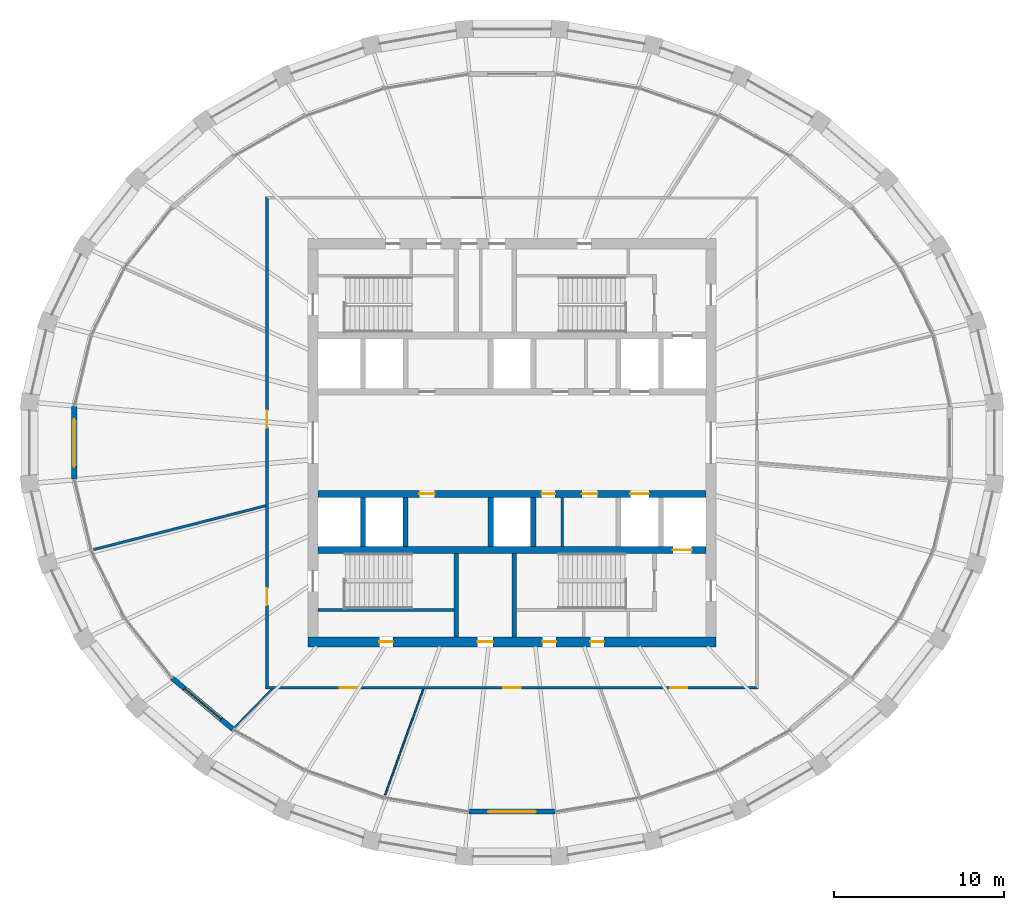
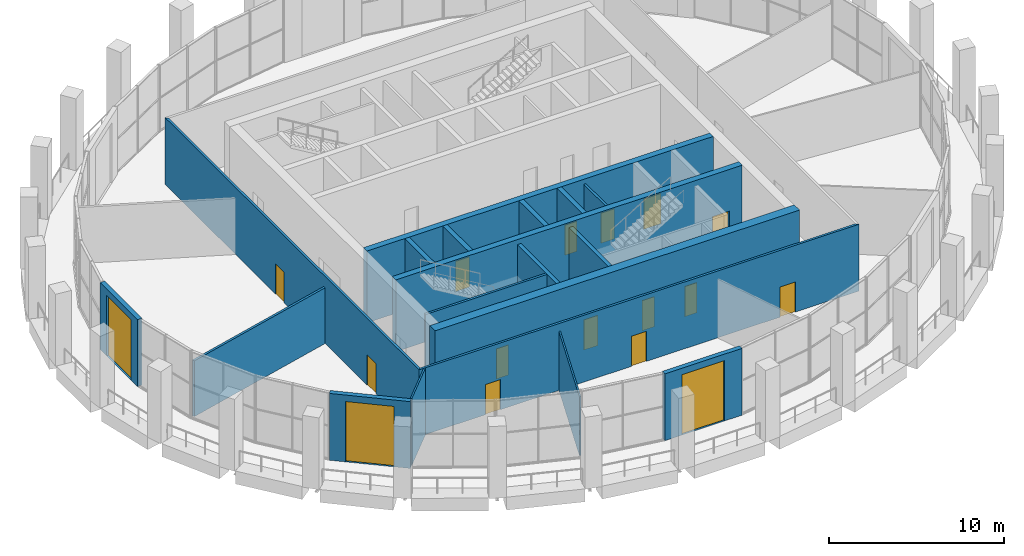
# One storey, part 10 of 15: 19 walls, 17 doors, 17 openings.
"""IFC4 building model written with IfcOpenShell, lengths in metres."""

from ifc_helpers import new_model, si_unit, direction, frame, frame_2d, origin, place, context, subcontext, project, spatial, polyline, rectangle, outline, extrude, material, layer, layer_set, type_object, element, fill, save


model = new_model("IFC4")

# Units and contexts
model_context = context("Model", 3, precision=1e-05, world=origin(), true_north=direction((0.0, 1.0)))
body_context = subcontext(model_context, "Body", "Model", "MODEL_VIEW")
ifc_project = project(units=[si_unit("LENGTHUNIT", "METRE"), si_unit("AREAUNIT", "SQUARE_METRE"), si_unit("VOLUMEUNIT", "CUBIC_METRE"), si_unit("PLANEANGLEUNIT", "RADIAN"), si_unit("MASSUNIT", "GRAM", prefix="KILO")], contexts=[model_context])

# Site, building, storey
site_placement = place(None, origin())
site = spatial("IfcSite", under=ifc_project, at=site_placement, CompositionType="ELEMENT")
building_placement = place(site_placement, origin())
building = spatial("IfcBuilding", under=site, at=building_placement, Name="Halqa Exchange Tower", CompositionType="ELEMENT")
storey_placement = place(building_placement, frame((0.0, 0.0, 338.300048828125)))
storey = spatial("IfcBuildingStorey", under=building, at=storey_placement, Name="L79", CompositionType="ELEMENT", Elevation=338.300048828125)

# Wall
ifc_material_1 = material(Name="Gypsum board")
ifc_layer_1 = layer(ifc_material_1, 0.14990234375)
ifc_layer_set_1 = layer_set([ifc_layer_1], Name="Gypsum board")
wall_type_1 = type_object("IfcWallType", Name="Acoustic partition 150", PredefinedType="PARTITIONING", material=ifc_layer_set_1)
wall_1_placement = place(storey_placement, frame((-14.456787109375, -3.6943359375, 0.0), z_axis=(0.0, 0.0, 1.0), x_axis=(-0.96909697101, -0.246680077791, 0.0)))
element("IfcWall", 1, at=wall_1_placement, inside=storey, type_object=wall_type_1, Name="L79-PWL-003", PredefinedType="PARTITIONING", context=body_context, shape_type="SweptSolid", body=[
    extrude(outline(polyline([(10.459228515625, -0.074951171875), (10.459228515625, 0.01123046875), (10.44580078125, 0.074951171875), (8.711181640625, 0.074951171875), (6.9765625, 0.074951171875), (5.241943359375, 0.074951171875), (3.507080078125, 0.074951171875), (1.7724609375, 0.074951171875), (0.037841796875, 0.074951171875), (0.0, -0.07373046875), (0.0, -0.074951171875), (1.7431640625, -0.074951171875), (3.486328125, -0.074951171875), (5.2294921875, -0.074951171875), (6.972900390625, -0.074951171875), (8.716064453125, -0.074951171875), (10.459228515625, -0.074951171875)])), origin(), (0.0, 0.0, 1.0), 3.8798828125),
])

# Wall, openings, doors
ifc_material_2 = material(Name="Fire-rated gypsum board")
ifc_layer_2 = layer(ifc_material_2, 0.14990234375)
ifc_layer_set_2 = layer_set([ifc_layer_2], Name="Fire-rated gypsum board")
wall_type_2 = type_object("IfcWallType", Name="Fire partition EI 60 150", PredefinedType="PARTITIONING", material=ifc_layer_set_2)
wall_2_placement = place(storey_placement, frame((-14.39990234375, -14.47509765625, 0.0), z_axis=(0.0, 0.0, 1.0), x_axis=(0.0, 1.0, 0.0)))
wall_2 = element("IfcWall", 2, at=wall_2_placement, inside=storey, type_object=wall_type_2, Name="L79-PWL-001", PredefinedType="PARTITIONING", context=body_context, shape_type="SweptSolid", body=[
    extrude(outline(polyline([(0.150146484375, -0.074951171875), (2.06005859375, -0.074951171875), (3.97021484375, -0.074951171875), (5.880126953125, -0.074951171875), (7.7900390625, -0.074951171875), (9.7001953125, -0.074951171875), (11.610107421875, -0.074951171875), (13.52001953125, -0.074951171875), (15.43017578125, -0.074951171875), (17.340087890625, -0.074951171875), (19.25, -0.074951171875), (21.16015625, -0.074951171875), (23.070068359375, -0.074951171875), (24.97998046875, -0.074951171875), (26.89013671875, -0.074951171875), (28.800048828125, -0.074951171875), (28.949951171875, 0.074951171875), (27.02001953125, 0.074951171875), (25.090087890625, 0.074951171875), (23.159912109375, 0.074951171875), (21.22998046875, 0.074951171875), (19.300048828125, 0.074951171875), (17.3701171875, 0.074951171875), (15.440185546875, 0.074951171875), (13.510009765625, 0.074951171875), (11.580078125, 0.074951171875), (9.650146484375, 0.074951171875), (7.72021484375, 0.074951171875), (5.790283203125, 0.074951171875), (3.860107421875, 0.074951171875), (1.93017578125, 0.074951171875), (0.000244140625, 0.074951171875), (0.150146484375, -0.074951171875)])), origin(), (0.0, 0.0, 1.0), 4.64990234375),
])
opening_1_placement = place(wall_2_placement, frame((15.375, 0.0, 0.0)))
opening_1 = element("IfcOpeningElement", 3, at=opening_1_placement, cuts=wall_2, Name="Opening L79-02", PredefinedType="OPENING", context=body_context, shape_type="SweptSolid", body=[
    extrude(rectangle(XDim=1.0, YDim=2.10009765625, at=frame_2d((0.5, 1.050048828125))), frame((0.0, 0.0869140625, 0.0), z_axis=(0.0, -1.0, 0.0), x_axis=(1.0, 0.0, 0.0)), (0.0, 0.0, 1.0), 0.173828125),
])
opening_2_placement = place(wall_2_placement, frame((4.93505859375, 0.0, 0.0)))
opening_2 = element("IfcOpeningElement", 4, at=opening_2_placement, cuts=wall_2, Name="Opening L79-03", PredefinedType="OPENING", context=body_context, shape_type="SweptSolid", body=[
    extrude(rectangle(XDim=1.0, YDim=2.10009765625, at=frame_2d((0.5, 1.050048828125))), frame((0.0, 0.0869140625, 0.0), z_axis=(0.0, -1.0, 0.0), x_axis=(1.0, 0.0, 0.0)), (0.0, 0.0, 1.0), 0.173828125),
])
ifc_material_3 = material(Name="Steel fire door leaf", Category="steel")
door_type_1 = type_object("IfcDoorType", Name="Fire door FD30S 1000 x 2100", OperationType="SINGLE_SWING_LEFT", PredefinedType="DOOR", material=ifc_material_3)
door_1_placement = place(opening_1_placement, origin())
door_1 = element("IfcDoor", 5, at=door_1_placement, inside=storey, type_object=door_type_1, Name="L79-IDR-002", OperationType="SINGLE_SWING_LEFT", OverallHeight=2.10009765625, OverallWidth=1.0, PredefinedType="DOOR", context=body_context, shape_type="SweptSolid", body=[
    extrude(rectangle(XDim=1.0, YDim=2.10009765625, at=frame_2d((0.5, 1.050048828125))), frame((0.0, 0.02490234375, 0.0), z_axis=(0.0, -1.0, 0.0), x_axis=(1.0, 0.0, 0.0)), (0.0, 0.0, 1.0), 0.050048828125),
])
fill(opening_1, door_1)
door_2_placement = place(opening_2_placement, origin())
door_2 = element("IfcDoor", 6, at=door_2_placement, inside=storey, type_object=door_type_1, Name="L79-IDR-003", OperationType="SINGLE_SWING_LEFT", OverallHeight=2.10009765625, OverallWidth=1.0, PredefinedType="DOOR", context=body_context, shape_type="SweptSolid", body=[
    extrude(rectangle(XDim=1.0, YDim=2.10009765625, at=frame_2d((0.5, 1.050048828125))), frame((0.0, 0.02490234375, 0.0), z_axis=(0.0, -1.0, 0.0), x_axis=(1.0, 0.0, 0.0)), (0.0, 0.0, 1.0), 0.050048828125),
])
fill(opening_2, door_2)

wall_3_placement = place(storey_placement, frame((-14.47509765625, -14.39990234375, 0.0), z_axis=(0.0, 0.0, 1.0), x_axis=(1.0, 0.0, 0.0)))
wall_3 = element("IfcWall", 7, at=wall_3_placement, inside=storey, type_object=wall_type_2, Name="L79-PWL-002", PredefinedType="PARTITIONING", context=body_context, shape_type="SweptSolid", body=[
    extrude(outline(polyline([(0.000244140625, -0.074951171875), (1.93017578125, -0.074951171875), (3.860107421875, -0.074951171875), (5.790283203125, -0.074951171875), (7.72021484375, -0.074951171875), (9.650146484375, -0.074951171875), (11.580078125, -0.074951171875), (13.510009765625, -0.074951171875), (15.440185546875, -0.074951171875), (17.3701171875, -0.074951171875), (19.300048828125, -0.074951171875), (21.22998046875, -0.074951171875), (23.159912109375, -0.074951171875), (25.090087890625, -0.074951171875), (27.02001953125, -0.074951171875), (28.949951171875, -0.074951171875), (28.800048828125, 0.074951171875), (26.89013671875, 0.074951171875), (24.97998046875, 0.074951171875), (23.070068359375, 0.074951171875), (21.16015625, 0.074951171875), (19.25, 0.074951171875), (17.340087890625, 0.074951171875), (15.43017578125, 0.074951171875), (13.52001953125, 0.074951171875), (11.610107421875, 0.074951171875), (9.7001953125, 0.074951171875), (7.7900390625, 0.074951171875), (5.880126953125, 0.074951171875), (3.97021484375, 0.074951171875), (2.06005859375, 0.074951171875), (0.150146484375, 0.074951171875), (0.000244140625, -0.074951171875)])), origin(), (0.0, 0.0, 1.0), 4.64990234375),
])
opening_3_placement = place(wall_3_placement, frame((4.360107421875, 0.0, 0.0)))
opening_3 = element("IfcOpeningElement", 8, at=opening_3_placement, cuts=wall_3, Name="Opening L79-04", PredefinedType="OPENING", context=body_context, shape_type="SweptSolid", body=[
    extrude(rectangle(XDim=1.0, YDim=2.10009765625, at=frame_2d((0.5, 1.050048828125))), frame((0.0, 0.0869140625, 0.0), z_axis=(0.0, -1.0, 0.0), x_axis=(1.0, 0.0, 0.0)), (0.0, 0.0, 1.0), 0.173828125),
])
opening_4_placement = place(wall_3_placement, frame((13.97509765625, 0.0, 0.0)))
opening_4 = element("IfcOpeningElement", 9, at=opening_4_placement, cuts=wall_3, Name="Opening L79-05", PredefinedType="OPENING", context=body_context, shape_type="SweptSolid", body=[
    extrude(rectangle(XDim=1.0, YDim=2.10009765625, at=frame_2d((0.5, 1.050048828125))), frame((0.0, 0.0869140625, 0.0), z_axis=(0.0, -1.0, 0.0), x_axis=(1.0, 0.0, 0.0)), (0.0, 0.0, 1.0), 0.173828125),
])
opening_5_placement = place(wall_3_placement, frame((23.77001953125, 0.0, 0.0)))
opening_5 = element("IfcOpeningElement", 10, at=opening_5_placement, cuts=wall_3, Name="Opening L79-06", PredefinedType="OPENING", context=body_context, shape_type="SweptSolid", body=[
    extrude(rectangle(XDim=1.0, YDim=2.10009765625, at=frame_2d((0.5, 1.050048828125))), frame((0.0, 0.0869140625, 0.0), z_axis=(0.0, -1.0, 0.0), x_axis=(1.0, 0.0, 0.0)), (0.0, 0.0, 1.0), 0.173828125),
])
door_3_placement = place(opening_3_placement, frame((1.0, 0.0, 0.0), z_axis=(0.0, 0.0, 1.0), x_axis=(-1.0, 0.0, 0.0)))
door_3 = element("IfcDoor", 11, at=door_3_placement, inside=storey, type_object=door_type_1, Name="L79-IDR-004", OperationType="SINGLE_SWING_LEFT", OverallHeight=2.10009765625, OverallWidth=1.0, PredefinedType="DOOR", context=body_context, shape_type="SweptSolid", body=[
    extrude(rectangle(XDim=1.0, YDim=2.10009765625, at=frame_2d((0.5, 1.050048828125))), frame((0.0, 0.02490234375, 0.0), z_axis=(0.0, -1.0, 0.0), x_axis=(1.0, 0.0, 0.0)), (0.0, 0.0, 1.0), 0.050048828125),
])
fill(opening_3, door_3)
door_4_placement = place(opening_4_placement, frame((1.0, 0.0, 0.0), z_axis=(0.0, 0.0, 1.0), x_axis=(-1.0, 0.0, 0.0)))
door_4 = element("IfcDoor", 12, at=door_4_placement, inside=storey, type_object=door_type_1, Name="L79-IDR-005", OperationType="SINGLE_SWING_LEFT", OverallHeight=2.10009765625, OverallWidth=1.0, PredefinedType="DOOR", context=body_context, shape_type="SweptSolid", body=[
    extrude(rectangle(XDim=1.0, YDim=2.10009765625, at=frame_2d((0.5, 1.050048828125))), frame((0.0, 0.02490234375, 0.0), z_axis=(0.0, -1.0, 0.0), x_axis=(1.0, 0.0, 0.0)), (0.0, 0.0, 1.0), 0.050048828125),
])
fill(opening_4, door_4)
door_5_placement = place(opening_5_placement, frame((1.0, 0.0, 0.0), z_axis=(0.0, 0.0, 1.0), x_axis=(-1.0, 0.0, 0.0)))
door_5 = element("IfcDoor", 13, at=door_5_placement, inside=storey, type_object=door_type_1, Name="L79-IDR-006", OperationType="SINGLE_SWING_LEFT", OverallHeight=2.10009765625, OverallWidth=1.0, PredefinedType="DOOR", context=body_context, shape_type="SweptSolid", body=[
    extrude(rectangle(XDim=1.0, YDim=2.10009765625, at=frame_2d((0.5, 1.050048828125))), frame((0.0, 0.02490234375, 0.0), z_axis=(0.0, -1.0, 0.0), x_axis=(1.0, 0.0, 0.0)), (0.0, 0.0, 1.0), 0.050048828125),
])
fill(opening_5, door_5)

# Walls
ifc_layer_3 = layer(ifc_material_1, 0.10009765625)
ifc_layer_set_3 = layer_set([ifc_layer_3], Name="Gypsum board")
wall_type_3 = type_object("IfcWallType", Name="Partition 100 gypsum", PredefinedType="PARTITIONING", material=ifc_layer_set_3)
wall_4_placement = place(storey_placement, frame((-14.07958984375, -14.4404296875, 0.0), z_axis=(0.0, 0.0, 1.0), x_axis=(-0.698582739951, -0.715529283428, 0.0)))
element("IfcWall", 14, at=wall_4_placement, inside=storey, type_object=wall_type_3, Name="L79-PWL-006", PredefinedType="PARTITIONING", context=body_context, shape_type="SweptSolid", body=[
    extrude(outline(polyline([(0.0, 0.050048828125), (0.0, 0.049560546875), (0.09716796875, -0.050048828125), (1.63330078125, -0.050048828125), (3.16943359375, -0.050048828125), (3.16943359375, 0.050048828125), (1.584716796875, 0.050048828125), (0.0, 0.050048828125)])), origin(), (0.0, 0.0, 1.0), 4.64990234375),
])
wall_5_placement = place(storey_placement, frame((-5.2109375, -14.458251953125, 0.0), z_axis=(0.0, 0.0, 1.0), x_axis=(-0.338886313763, -0.940827330781, 0.0)))
element("IfcWall", 15, at=wall_5_placement, inside=storey, type_object=wall_type_3, Name="L79-PWL-007", PredefinedType="PARTITIONING", context=body_context, shape_type="SweptSolid", body=[
    extrude(outline(polyline([(6.632080078125, -0.050048828125), (6.632080078125, -0.00146484375), (6.622802734375, 0.050048828125), (4.967041015625, 0.050048828125), (3.311279296875, 0.050048828125), (1.65576171875, 0.050048828125), (0.0, 0.050048828125), (0.0, 0.04931640625), (0.035888671875, -0.050048828125), (1.684814453125, -0.050048828125), (3.333984375, -0.050048828125), (4.98291015625, -0.050048828125), (6.632080078125, -0.050048828125)])), origin(), (0.0, 0.0, 1.0), 4.099853515625),
])
ifc_layer_4 = layer(ifc_material_1, 0.14990234375)
ifc_layer_set_4 = layer_set([ifc_layer_4], Name="Gypsum board")
wall_type_4 = type_object("IfcWallType", Name="Penthouse riser wall 150 gypsum", PredefinedType="PARTITIONING", material=ifc_layer_set_4)
wall_6_placement = place(storey_placement, frame((2.949951171875, -6.10009765625, 0.0), z_axis=(0.0, 0.0, 1.0), x_axis=(0.0, 1.0, 0.0)))
element("IfcWall", 16, at=wall_6_placement, inside=storey, type_object=wall_type_4, Name="Freed bay partition SE2.950", PredefinedType="PARTITIONING", context=body_context, shape_type="SweptSolid", body=[
    extrude(rectangle(XDim=2.900146484375, YDim=0.14990234375, at=frame_2d((1.4501953125, 0.0))), origin(), (0.0, 0.0, 1.0), 4.64990234375),
])
ifc_material_4 = material(Name="Concrete C60/75", Category="concrete")
ifc_layer_5 = layer(ifc_material_4, 0.300048828125)
ifc_layer_set_5 = layer_set([ifc_layer_5], Name="Concrete C60/75")
wall_type_5 = type_object("IfcWallType", Name="RC core wall 300", PredefinedType="SHEAR", material=ifc_layer_set_5)
for number, where, z_axis, x_axis, name in (
    (17, (-8.75, -6.10009765625, 0.0), (0.0, 0.0, 1.0), (0.0, 1.0, 0.0), "Shaft divider S1"),
    (18, (-6.25, -6.10009765625, 0.0), (0.0, 0.0, 1.0), (0.0, 1.0, 0.0), "Shaft divider S2"),
    (19, (-1.25, -6.10009765625, 0.0), (0.0, 0.0, 1.0), (0.0, 1.0, 0.0), "Shaft divider S4"),
    (20, (1.25, -6.10009765625, 0.0), (0.0, 0.0, 1.0), (0.0, 1.0, 0.0), "Shaft divider S5"),
):
    element("IfcWall", number, at=place(storey_placement, frame(where, z_axis=z_axis, x_axis=x_axis)), inside=storey, type_object=wall_type_5, Name=name, PredefinedType="SHEAR", context=body_context, shape_type="SweptSolid", body=[
        extrude(rectangle(XDim=2.900146484375, YDim=0.300048828125, at=frame_2d((1.4501953125, 0.0))), origin(), (0.0, 0.0, 1.0), 5.0),
    ])

# Wall, openings, doors
ifc_layer_6 = layer(ifc_material_4, 0.39990234375)
ifc_layer_set_6 = layer_set([ifc_layer_6], Name="Concrete C60/75")
wall_type_6 = type_object("IfcWallType", Name="RC core wall 400 C60/75", PredefinedType="SHEAR", material=ifc_layer_set_6)
wall_7_placement = place(storey_placement, frame((-11.39990234375, -3.0, 0.0), z_axis=(0.0, 0.0, 1.0), x_axis=(1.0, 0.0, 0.0)))
wall_7 = element("IfcWall", 21, at=wall_7_placement, inside=storey, type_object=wall_type_6, Name="Lift row front wall S", PredefinedType="SHEAR", context=body_context, shape_type="SweptSolid", body=[
    extrude(rectangle(XDim=22.7998046875, YDim=0.39990234375, at=frame_2d((11.39990234375, 0.0))), origin(), (0.0, 0.0, 1.0), 5.0),
])
opening_6_placement = place(wall_7_placement, frame((18.35009765625, 0.0, 0.0)))
opening_6 = element("IfcOpeningElement", 22, at=opening_6_placement, cuts=wall_7, Name="Opening LD-SV2-L79", PredefinedType="OPENING", context=body_context, shape_type="SweptSolid", body=[
    extrude(rectangle(XDim=1.10009765625, YDim=2.10009765625, at=frame_2d((0.550048828125, 1.050048828125))), frame((0.0, 0.2119140625, 0.0), z_axis=(0.0, -1.0, 0.0), x_axis=(1.0, 0.0, 0.0)), (0.0, 0.0, 1.0), 0.423828125),
])
opening_7_placement = place(wall_7_placement, frame((13.137451171875, 0.0, 0.0)))
opening_7 = element("IfcOpeningElement", 23, at=opening_7_placement, cuts=wall_7, Name="Opening L79-C25", PredefinedType="OPENING", context=body_context, shape_type="SweptSolid", body=[
    extrude(rectangle(XDim=0.800048828125, YDim=2.10009765625, at=frame_2d((0.39990234375, 1.050048828125))), frame((0.0, 0.2119140625, 0.0), z_axis=(0.0, -1.0, 0.0), x_axis=(1.0, 0.0, 0.0)), (0.0, 0.0, 1.0), 0.423828125),
])
opening_8_placement = place(wall_7_placement, frame((15.512451171875, 0.0, 0.0)))
opening_8 = element("IfcOpeningElement", 24, at=opening_8_placement, cuts=wall_7, Name="Opening L79-C26", PredefinedType="OPENING", context=body_context, shape_type="SweptSolid", body=[
    extrude(rectangle(XDim=0.89990234375, YDim=2.10009765625, at=frame_2d((0.449951171875, 1.050048828125))), frame((0.0, 0.2119140625, 0.0), z_axis=(0.0, -1.0, 0.0), x_axis=(1.0, 0.0, 0.0)), (0.0, 0.0, 1.0), 0.423828125),
])
opening_9_placement = place(wall_7_placement, frame((5.949951171875, 0.0, 0.0)))
opening_9 = element("IfcOpeningElement", 25, at=opening_9_placement, cuts=wall_7, Name="Opening L79-C27", PredefinedType="OPENING", context=body_context, shape_type="SweptSolid", body=[
    extrude(rectangle(XDim=0.89990234375, YDim=2.10009765625, at=frame_2d((0.449951171875, 1.050048828125))), frame((0.0, 0.2119140625, 0.0), z_axis=(0.0, -1.0, 0.0), x_axis=(1.0, 0.0, 0.0)), (0.0, 0.0, 1.0), 0.423828125),
])
ifc_material_5 = material(Name="Timber fire door leaf", Category="wood")
door_type_2 = type_object("IfcDoorType", Name="Core room door FD30 900 x 2100", OperationType="SINGLE_SWING_LEFT", PredefinedType="DOOR", material=ifc_material_5)
door_6_placement = place(opening_8_placement, frame((0.89990234375, 0.0, 0.0), z_axis=(0.0, 0.0, 1.0), x_axis=(-1.0, 0.0, 0.0)))
door_6 = element("IfcDoor", 26, at=door_6_placement, inside=storey, type_object=door_type_2, Name="Core room door", OperationType="SINGLE_SWING_RIGHT", OverallHeight=2.10009765625, OverallWidth=0.89990234375, PredefinedType="DOOR", context=body_context, shape_type="SweptSolid", body=[
    extrude(rectangle(XDim=0.89990234375, YDim=2.10009765625, at=frame_2d((0.449951171875, 1.050048828125))), frame((0.0, 0.02490234375, 0.0), z_axis=(0.0, -1.0, 0.0), x_axis=(1.0, 0.0, 0.0)), (0.0, 0.0, 1.0), 0.050048828125),
])
fill(opening_8, door_6)
door_7_placement = place(opening_9_placement, frame((0.89990234375, 0.0, 0.0), z_axis=(0.0, 0.0, 1.0), x_axis=(-1.0, 0.0, 0.0)))
door_7 = element("IfcDoor", 27, at=door_7_placement, inside=storey, type_object=door_type_2, Name="Core room door", OperationType="SINGLE_SWING_LEFT", OverallHeight=2.10009765625, OverallWidth=0.89990234375, PredefinedType="DOOR", context=body_context, shape_type="SweptSolid", body=[
    extrude(rectangle(XDim=0.89990234375, YDim=2.10009765625, at=frame_2d((0.449951171875, 1.050048828125))), frame((0.0, 0.02490234375, 0.0), z_axis=(0.0, -1.0, 0.0), x_axis=(1.0, 0.0, 0.0)), (0.0, 0.0, 1.0), 0.050048828125),
])
fill(opening_9, door_7)
ifc_material_6 = material(Name="Stainless steel", Category="steel")
door_type_3 = type_object("IfcDoorType", Name="Lift landing door 1100 x 2100", OperationType="SLIDING_TO_LEFT", PredefinedType="DOOR", material=ifc_material_6)
door_8_placement = place(opening_6_placement, origin())
door_8 = element("IfcDoor", 28, at=door_8_placement, inside=storey, type_object=door_type_3, Name="Lift landing door SV2", OperationType="SLIDING_TO_LEFT", OverallHeight=2.10009765625, OverallWidth=1.10009765625, PredefinedType="DOOR", context=body_context, shape_type="SweptSolid", body=[
    extrude(rectangle(XDim=1.10009765625, YDim=2.10009765625, at=frame_2d((0.550048828125, 1.050048828125))), frame((0.0, 0.02490234375, 0.0), z_axis=(0.0, -1.0, 0.0), x_axis=(1.0, 0.0, 0.0)), (0.0, 0.0, 1.0), 0.050048828125),
])
fill(opening_6, door_8)
door_type_4 = type_object("IfcDoorType", Name="Riser door FD60 800 x 2100", OperationType="SINGLE_SWING_LEFT", PredefinedType="DOOR", material=ifc_material_3)
door_9_placement = place(opening_7_placement, frame((0.800048828125, 0.0, 0.0), z_axis=(0.0, 0.0, 1.0), x_axis=(-1.0, 0.0, 0.0)))
door_9 = element("IfcDoor", 29, at=door_9_placement, inside=storey, type_object=door_type_4, Name="Core room door", OperationType="SINGLE_SWING_RIGHT", OverallHeight=2.10009765625, OverallWidth=0.800048828125, PredefinedType="DOOR", context=body_context, shape_type="SweptSolid", body=[
    extrude(rectangle(XDim=0.800048828125, YDim=2.10009765625, at=frame_2d((0.39990234375, 1.050048828125))), frame((0.0, 0.02490234375, 0.0), z_axis=(0.0, -1.0, 0.0), x_axis=(1.0, 0.0, 0.0)), (0.0, 0.0, 1.0), 0.050048828125),
])
fill(opening_7, door_9)

# Wall, opening, door
wall_8_placement = place(storey_placement, frame((-11.39990234375, -6.300048828125, 0.0), z_axis=(0.0, 0.0, 1.0), x_axis=(1.0, 0.0, 0.0)))
wall_8 = element("IfcWall", 30, at=wall_8_placement, inside=storey, type_object=wall_type_6, Name="Lift row back wall S", PredefinedType="SHEAR", context=body_context, shape_type="SweptSolid", body=[
    extrude(rectangle(XDim=22.7998046875, YDim=0.39990234375, at=frame_2d((11.39990234375, 0.0))), origin(), (0.0, 0.0, 1.0), 5.0),
])
opening_10_placement = place(wall_8_placement, frame((20.85009765625, 0.0, 0.0)))
opening_10 = element("IfcOpeningElement", 31, at=opening_10_placement, cuts=wall_8, Name="Opening LD-FF2-L79", PredefinedType="OPENING", context=body_context, shape_type="SweptSolid", body=[
    extrude(rectangle(XDim=1.10009765625, YDim=2.10009765625, at=frame_2d((0.550048828125, 1.050048828125))), frame((0.0, 0.2119140625, 0.0), z_axis=(0.0, -1.0, 0.0), x_axis=(1.0, 0.0, 0.0)), (0.0, 0.0, 1.0), 0.423828125),
])
door_10_placement = place(opening_10_placement, origin())
door_10 = element("IfcDoor", 32, at=door_10_placement, inside=storey, type_object=door_type_3, Name="Lift landing door FF2", OperationType="SLIDING_TO_LEFT", OverallHeight=2.10009765625, OverallWidth=1.10009765625, PredefinedType="DOOR", context=body_context, shape_type="SweptSolid", body=[
    extrude(rectangle(XDim=1.10009765625, YDim=2.10009765625, at=frame_2d((0.550048828125, 1.050048828125))), frame((0.0, 0.02490234375, 0.0), z_axis=(0.0, -1.0, 0.0), x_axis=(1.0, 0.0, 0.0)), (0.0, 0.0, 1.0), 0.050048828125),
])
fill(opening_10, door_10)

# Wall, openings, doors
ifc_layer_7 = layer(ifc_material_4, 0.60009765625)
ifc_layer_set_7 = layer_set([ifc_layer_7], Name="Concrete C60/75")
wall_type_7 = type_object("IfcWallType", Name="RC core wall 600 C60/75", PredefinedType="SHEAR", material=ifc_layer_set_7)
wall_9_placement = place(storey_placement, frame((-12.0, -11.699951171875, 0.0), z_axis=(0.0, 0.0, 1.0), x_axis=(1.0, 0.0, 0.0)))
wall_9 = element("IfcWall", 33, at=wall_9_placement, inside=storey, type_object=wall_type_7, Name="Core wall south", PredefinedType="SHEAR", context=body_context, shape_type="SweptSolid", body=[
    extrude(rectangle(XDim=24.0, YDim=0.60009765625, at=frame_2d((12.0, 0.0))), origin(), (0.0, 0.0, 1.0), 5.0),
])
opening_11_placement = place(wall_9_placement, frame((9.97509765625, 0.0, 0.0)))
opening_11 = element("IfcOpeningElement", 34, at=opening_11_placement, cuts=wall_9, Name="Opening L79-C18", PredefinedType="OPENING", context=body_context, shape_type="SweptSolid", body=[
    extrude(rectangle(XDim=0.89990234375, YDim=2.10009765625, at=frame_2d((0.449951171875, 1.050048828125))), frame((0.0, 0.31201171875, 0.0), z_axis=(0.0, -1.0, 0.0), x_axis=(1.0, 0.0, 0.0)), (0.0, 0.0, 1.0), 0.6240234375),
])
opening_12_placement = place(wall_9_placement, frame((4.199951171875, 0.0, 0.0)))
opening_12 = element("IfcOpeningElement", 35, at=opening_12_placement, cuts=wall_9, Name="Opening L79-C19", PredefinedType="OPENING", context=body_context, shape_type="SweptSolid", body=[
    extrude(rectangle(XDim=0.800048828125, YDim=2.10009765625, at=frame_2d((0.39990234375, 1.050048828125))), frame((0.0, 0.31201171875, 0.0), z_axis=(0.0, -1.0, 0.0), x_axis=(1.0, 0.0, 0.0)), (0.0, 0.0, 1.0), 0.6240234375),
])
opening_13_placement = place(wall_9_placement, frame((13.800048828125, 0.0, 0.0)))
opening_13 = element("IfcOpeningElement", 36, at=opening_13_placement, cuts=wall_9, Name="Opening L79-C20", PredefinedType="OPENING", context=body_context, shape_type="SweptSolid", body=[
    extrude(rectangle(XDim=0.800048828125, YDim=2.10009765625, at=frame_2d((0.39990234375, 1.050048828125))), frame((0.0, 0.31201171875, 0.0), z_axis=(0.0, -1.0, 0.0), x_axis=(1.0, 0.0, 0.0)), (0.0, 0.0, 1.0), 0.6240234375),
])
opening_14_placement = place(wall_9_placement, frame((16.60009765625, 0.0, 0.0)))
opening_14 = element("IfcOpeningElement", 37, at=opening_14_placement, cuts=wall_9, Name="Opening L79-C21", PredefinedType="OPENING", context=body_context, shape_type="SweptSolid", body=[
    extrude(rectangle(XDim=0.800048828125, YDim=2.10009765625, at=frame_2d((0.39990234375, 1.050048828125))), frame((0.0, 0.31201171875, 0.0), z_axis=(0.0, -1.0, 0.0), x_axis=(1.0, 0.0, 0.0)), (0.0, 0.0, 1.0), 0.6240234375),
])
door_11_placement = place(opening_11_placement, origin())
door_11 = element("IfcDoor", 38, at=door_11_placement, inside=storey, type_object=door_type_2, Name="Core room door", OperationType="SINGLE_SWING_LEFT", OverallHeight=2.10009765625, OverallWidth=0.89990234375, PredefinedType="DOOR", context=body_context, shape_type="SweptSolid", body=[
    extrude(rectangle(XDim=0.89990234375, YDim=2.10009765625, at=frame_2d((0.449951171875, 1.050048828125))), frame((0.0, 0.02490234375, 0.0), z_axis=(0.0, -1.0, 0.0), x_axis=(1.0, 0.0, 0.0)), (0.0, 0.0, 1.0), 0.050048828125),
])
fill(opening_11, door_11)
door_12_placement = place(opening_12_placement, origin())
door_12 = element("IfcDoor", 39, at=door_12_placement, inside=storey, type_object=door_type_4, Name="Core room door", OperationType="SINGLE_SWING_LEFT", OverallHeight=2.10009765625, OverallWidth=0.800048828125, PredefinedType="DOOR", context=body_context, shape_type="SweptSolid", body=[
    extrude(rectangle(XDim=0.800048828125, YDim=2.10009765625, at=frame_2d((0.39990234375, 1.050048828125))), frame((0.0, 0.02490234375, 0.0), z_axis=(0.0, -1.0, 0.0), x_axis=(1.0, 0.0, 0.0)), (0.0, 0.0, 1.0), 0.050048828125),
])
fill(opening_12, door_12)
door_13_placement = place(opening_13_placement, origin())
door_13 = element("IfcDoor", 40, at=door_13_placement, inside=storey, type_object=door_type_4, Name="Core room door", OperationType="SINGLE_SWING_RIGHT", OverallHeight=2.10009765625, OverallWidth=0.800048828125, PredefinedType="DOOR", context=body_context, shape_type="SweptSolid", body=[
    extrude(rectangle(XDim=0.800048828125, YDim=2.10009765625, at=frame_2d((0.39990234375, 1.050048828125))), frame((0.0, 0.02490234375, 0.0), z_axis=(0.0, -1.0, 0.0), x_axis=(1.0, 0.0, 0.0)), (0.0, 0.0, 1.0), 0.050048828125),
])
fill(opening_13, door_13)
door_14_placement = place(opening_14_placement, origin())
door_14 = element("IfcDoor", 41, at=door_14_placement, inside=storey, type_object=door_type_4, Name="Core room door", OperationType="SINGLE_SWING_RIGHT", OverallHeight=2.10009765625, OverallWidth=0.800048828125, PredefinedType="DOOR", context=body_context, shape_type="SweptSolid", body=[
    extrude(rectangle(XDim=0.800048828125, YDim=2.10009765625, at=frame_2d((0.39990234375, 1.050048828125))), frame((0.0, 0.02490234375, 0.0), z_axis=(0.0, -1.0, 0.0), x_axis=(1.0, 0.0, 0.0)), (0.0, 0.0, 1.0), 0.050048828125),
])
fill(opening_14, door_14)

# Walls
ifc_material_7 = material(Name="Concrete C30/37", Category="concrete")
ifc_layer_8 = layer(ifc_material_7, 0.14990234375)
ifc_layer_set_8 = layer_set([ifc_layer_8], Name="Concrete C30/37")
wall_type_8 = type_object("IfcWallType", Name="RC stair wall 150 C30/37", PredefinedType="SHEAR", material=ifc_layer_set_8)
wall_10_placement = place(storey_placement, frame((-11.39990234375, -9.824951171875, 0.0), z_axis=(0.0, 0.0, 1.0), x_axis=(1.0, 0.0, 0.0)))
element("IfcWall", 42, at=wall_10_placement, inside=storey, type_object=wall_type_8, Name="Stair ST1 north wall S", PredefinedType="SHEAR", context=body_context, shape_type="SweptSolid", body=[
    extrude(rectangle(XDim=8.0, YDim=0.14990234375, at=frame_2d((4.0, 0.0))), origin(), (0.0, 0.0, 1.0), 4.64990234375),
])
ifc_layer_9 = layer(ifc_material_7, 0.25)
ifc_layer_set_9 = layer_set([ifc_layer_9], Name="Concrete C30/37")
wall_type_9 = type_object("IfcWallType", Name="RC stair wall 250 C30/37", PredefinedType="SHEAR", material=ifc_layer_set_9)
for number, where, z_axis, x_axis, name in (
    (43, (-3.27490234375, -11.39990234375, 0.0), (0.0, 0.0, 1.0), (0.0, 1.0, 0.0), "Stair ST1 east wall S"),
    (44, (0.125, -11.39990234375, 0.0), (0.0, 0.0, 1.0), (0.0, 1.0, 0.0), "Stair ST2 west wall S"),
):
    element("IfcWall", number, at=place(storey_placement, frame(where, z_axis=z_axis, x_axis=x_axis)), inside=storey, type_object=wall_type_9, Name=name, PredefinedType="SHEAR", context=body_context, shape_type="SweptSolid", body=[
        extrude(rectangle(XDim=4.89990234375, YDim=0.25, at=frame_2d((2.449951171875, 0.0))), origin(), (0.0, 0.0, 1.0), 4.64990234375),
    ])

# Wall, opening, door
ifc_material_8 = material(Name="Limestone cladding", Category="masonry")
ifc_layer_10 = layer(ifc_material_8, 0.0400390625)
ifc_material_9 = material(Name="Ventilated cavity")
ifc_layer_11 = layer(ifc_material_9, 0.030029296875, ventilated=True)
ifc_material_10 = material(Name="Mineral wool insulation")
ifc_layer_12 = layer(ifc_material_10, 0.10009765625)
ifc_layer_13 = layer(ifc_material_7, 0.10009765625)
ifc_material_11 = material(Name="Internal plaster")
ifc_layer_14 = layer(ifc_material_11, 0.030029296875)
ifc_layer_set_10 = layer_set([ifc_layer_10, ifc_layer_11, ifc_layer_12, ifc_layer_13, ifc_layer_14], Name="Stone-faced insulated wall 300")
wall_type_10 = type_object("IfcWallType", Name="Stone-faced insulated wall 300", PredefinedType="STANDARD", material=ifc_layer_set_10)
wall_11_placement = place(storey_placement, frame((-25.726318359375, 2.137451171875, 0.0), z_axis=(0.0, 0.0, 1.0), x_axis=(0.0, -1.0, 0.0)))
wall_11 = element("IfcWall", 45, at=wall_11_placement, inside=storey, type_object=wall_type_10, Name="Glass-line wall 16", PredefinedType="STANDARD", context=body_context, shape_type="SweptSolid", body=[
    extrude(outline(polyline([(0.0, -0.14990234375), (4.27490234375, -0.14990234375), (4.27490234375, 0.14990234375), (0.0, 0.14990234375), (0.0, -0.14990234375)])), origin(), (0.0, 0.0, 1.0), 4.64990234375),
])
opening_15_placement = place(wall_11_placement, frame((0.737548828125, 0.0, 0.0)))
opening_15 = element("IfcOpeningElement", 46, at=opening_15_placement, cuts=wall_11, Name="Opening LGX-F4-04", PredefinedType="OPENING", context=body_context, shape_type="SweptSolid", body=[
    extrude(rectangle(XDim=2.800048828125, YDim=4.199951171875, at=frame_2d((1.39990234375, 2.10009765625))), frame((0.0, 0.162109375, 0.0), z_axis=(0.0, -1.0, 0.0), x_axis=(1.0, 0.0, 0.0)), (0.0, 0.0, 1.0), 0.323974609375),
])
ifc_material_12 = material(Name="Clear low-emissivity glass in aluminium frame", Category="aluminium")
door_type_5 = type_object("IfcDoorType", Name="Glazed sliding balcony door 2800 x 4200", OperationType="DOUBLE_DOOR_SLIDING", PredefinedType="DOOR", material=ifc_material_12)
door_15_placement = place(opening_15_placement, origin())
door_15 = element("IfcDoor", 47, at=door_15_placement, inside=storey, type_object=door_type_5, Name="Loggia door 4", OperationType="DOUBLE_DOOR_SLIDING", OverallHeight=4.199951171875, OverallWidth=2.800048828125, PredefinedType="DOOR", context=body_context, shape_type="SweptSolid", body=[
    extrude(rectangle(XDim=2.800048828125, YDim=4.199951171875, at=frame_2d((1.39990234375, 2.10009765625))), frame((0.0, 0.02490234375, 0.0), z_axis=(0.0, -1.0, 0.0), x_axis=(1.0, 0.0, 0.0)), (0.0, 0.0, 1.0), 0.050048828125),
])
fill(opening_15, door_15)

wall_12_placement = place(storey_placement, frame((-19.974609375, -13.826171875, 0.0), z_axis=(0.0, 0.0, 1.0), x_axis=(0.765128700347, -0.643877373344, 0.0)))
wall_12 = element("IfcWall", 48, at=wall_12_placement, inside=storey, type_object=wall_type_10, Name="Glass-line wall 20", PredefinedType="STANDARD", context=body_context, shape_type="SweptSolid", body=[
    extrude(outline(polyline([(0.0, -0.14990234375), (4.685546875, -0.14990234375), (4.685546875, 0.14990234375), (0.0, 0.14990234375), (0.0, -0.14990234375)])), origin(), (0.0, 0.0, 1.0), 4.64990234375),
])
opening_16_placement = place(wall_12_placement, frame((0.942626953125, 0.0, 0.0)))
opening_16 = element("IfcOpeningElement", 49, at=opening_16_placement, cuts=wall_12, Name="Opening LGX-F4-05", PredefinedType="OPENING", context=body_context, shape_type="SweptSolid", body=[
    extrude(rectangle(XDim=2.800048828125, YDim=4.199951171875, at=frame_2d((1.39990234375, 2.10009765625))), frame((0.0, 0.162109375, 0.0), z_axis=(0.0, -1.0, 0.0), x_axis=(1.0, 0.0, 0.0)), (0.0, 0.0, 1.0), 0.323974609375),
])
door_16_placement = place(opening_16_placement, origin())
door_16 = element("IfcDoor", 50, at=door_16_placement, inside=storey, type_object=door_type_5, Name="Loggia door 5", OperationType="DOUBLE_DOOR_SLIDING", OverallHeight=4.199951171875, OverallWidth=2.800048828125, PredefinedType="DOOR", context=body_context, shape_type="SweptSolid", body=[
    extrude(rectangle(XDim=2.800048828125, YDim=4.199951171875, at=frame_2d((1.39990234375, 2.10009765625))), frame((0.0, 0.02490234375, 0.0), z_axis=(0.0, -1.0, 0.0), x_axis=(1.0, 0.0, 0.0)), (0.0, 0.0, 1.0), 0.050048828125),
])
fill(opening_16, door_16)

wall_13_placement = place(storey_placement, frame((-2.531494140625, -21.674560546875, 0.0), z_axis=(0.0, 0.0, 1.0), x_axis=(1.0, 0.0, 0.0)))
wall_13 = element("IfcWall", 51, at=wall_13_placement, inside=storey, type_object=wall_type_10, Name="Glass-line wall 24", PredefinedType="STANDARD", context=body_context, shape_type="SweptSolid", body=[
    extrude(outline(polyline([(0.0, -0.14990234375), (5.06298828125, -0.14990234375), (5.06298828125, 0.14990234375), (0.0, 0.14990234375), (0.0, -0.14990234375)])), origin(), (0.0, 0.0, 1.0), 4.64990234375),
])
opening_17_placement = place(wall_13_placement, frame((1.131591796875, 0.0, 0.0)))
opening_17 = element("IfcOpeningElement", 52, at=opening_17_placement, cuts=wall_13, Name="Opening LGX-F4-06", PredefinedType="OPENING", context=body_context, shape_type="SweptSolid", body=[
    extrude(rectangle(XDim=2.800048828125, YDim=4.199951171875, at=frame_2d((1.39990234375, 2.10009765625))), frame((0.0, 0.162109375, 0.0), z_axis=(0.0, -1.0, 0.0), x_axis=(1.0, 0.0, 0.0)), (0.0, 0.0, 1.0), 0.323974609375),
])
door_17_placement = place(opening_17_placement, origin())
door_17 = element("IfcDoor", 53, at=door_17_placement, inside=storey, type_object=door_type_5, Name="Loggia door 6", OperationType="DOUBLE_DOOR_SLIDING", OverallHeight=4.199951171875, OverallWidth=2.800048828125, PredefinedType="DOOR", context=body_context, shape_type="SweptSolid", body=[
    extrude(rectangle(XDim=2.800048828125, YDim=4.199951171875, at=frame_2d((1.39990234375, 2.10009765625))), frame((0.0, 0.02490234375, 0.0), z_axis=(0.0, -1.0, 0.0), x_axis=(1.0, 0.0, 0.0)), (0.0, 0.0, 1.0), 0.050048828125),
])
fill(opening_17, door_17)

save(model, "model.ifc")
